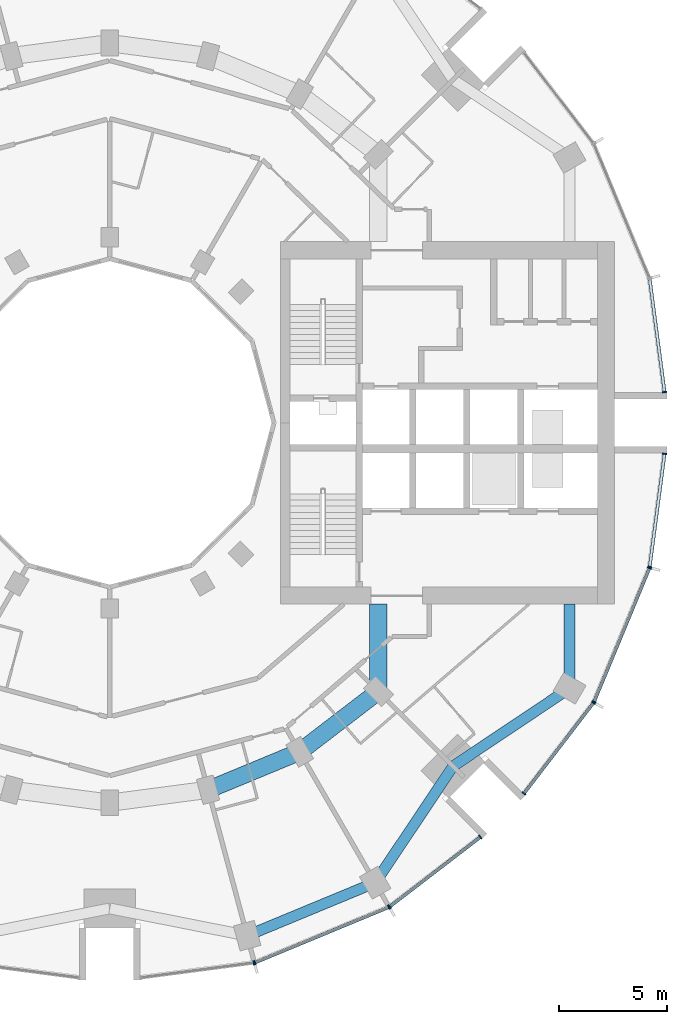
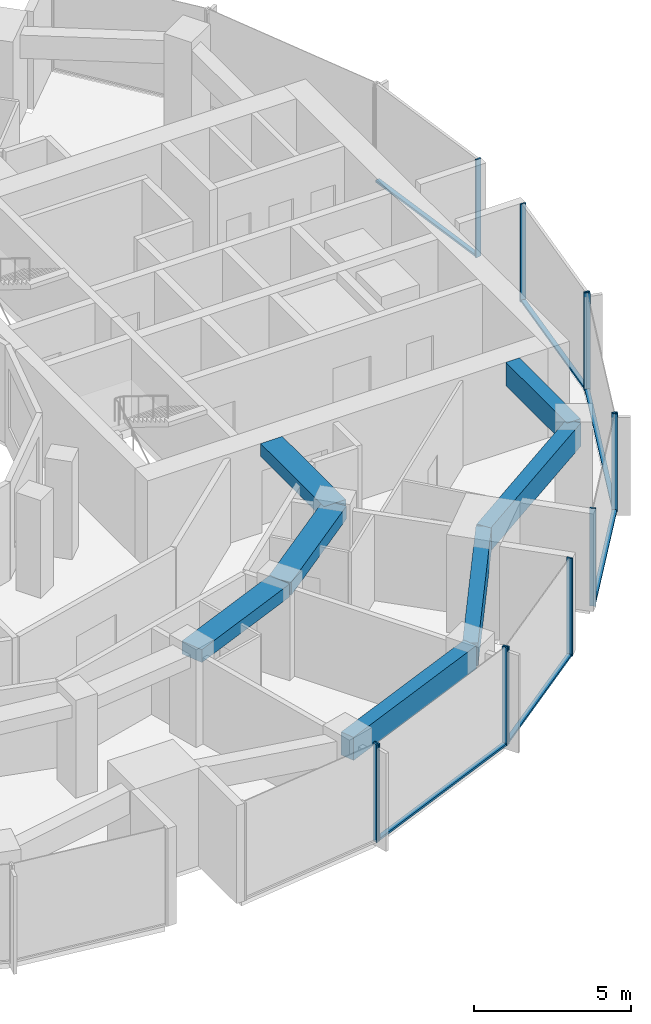
# One storey, part 4 of 15: 18 members, 7 beams, 7 elements without a shape of their own.
"""IFC4 building model written with IfcOpenShell, lengths in metres."""

from ifc_helpers import new_model, si_unit, direction, frame, origin, origin_2d, place, context, subcontext, project, spatial, rectangle, extrude, material, layer, layer_set, material_profile, profile_set, type_object, element, aggregate, save


model = new_model("IFC4")

# Units and contexts
model_context = context("Model", 3, precision=1e-05, world=origin(), true_north=direction((0.0, 1.0)))
body_context = subcontext(model_context, "Body", "Model", "MODEL_VIEW")
ifc_project = project(units=[si_unit("LENGTHUNIT", "METRE"), si_unit("AREAUNIT", "SQUARE_METRE"), si_unit("VOLUMEUNIT", "CUBIC_METRE"), si_unit("PLANEANGLEUNIT", "RADIAN"), si_unit("MASSUNIT", "GRAM", prefix="KILO")], contexts=[model_context])

# Site, building, storey
site_placement = place(None, origin())
site = spatial("IfcSite", under=ifc_project, at=site_placement, CompositionType="ELEMENT")
building_placement = place(site_placement, origin())
building = spatial("IfcBuilding", under=site, at=building_placement, Name="Torre Brocal", CompositionType="ELEMENT")
storey_placement = place(building_placement, frame((0.0, 0.0, 97.60009765625)))
storey = spatial("IfcBuildingStorey", under=building, at=storey_placement, Name="L22", CompositionType="ELEMENT", Elevation=97.60009765625)

# Curtain wall, member
ifc_material_1 = material(Name="Aluminium and glass", Category="aluminium")
ifc_layer_1 = layer(ifc_material_1, 0.199951171875)
ifc_layer_set_1 = layer_set([ifc_layer_1], Name="Aluminium and glass")
curtain_wall_type_1 = type_object("IfcCurtainWallType", Name="CW-1 CURTAIN WALL 3800 HIGH", PredefinedType="NOTDEFINED", material=ifc_layer_set_1)
curtain_wall_1_placement = place(storey_placement, origin())
curtain_wall_1 = element("IfcCurtainWall", 1, at=curtain_wall_1_placement, inside=storey, type_object=curtain_wall_type_1, Name="CW-1 RUN 19", PredefinedType="NOTDEFINED")
ifc_material_2 = material(Name="Aluminium, dark anodised", Category="aluminium")
ifc_material_profile_1 = material_profile(ifc_material_2, rectangle(XDim=0.199951171875, YDim=0.06005859375, at=origin_2d()), Name="CW-1 MULLION 60X200")
ifc_profile_set_1 = profile_set([ifc_material_profile_1], Name="Aluminium, dark anodised")
member_type_1 = type_object("IfcMemberType", Name="CW-1 MULLION 60X200", PredefinedType="MULLION", material=ifc_profile_set_1)
member_1_placement = place(storey_placement, frame((86.67333984375, 49.9794921875, 0.0), z_axis=(0.0, 0.0, 1.0), x_axis=(-0.13052619222, 0.991444861374, 0.0)))
member_1 = element("IfcMember", 2, at=member_1_placement, type_object=member_type_1, Name="CW1-1 mullion 2", PredefinedType="MULLION", context=body_context, shape_type="SweptSolid", body=[
    extrude(rectangle(XDim=0.199951171875, YDim=0.06005859375, at=origin_2d()), origin(), (0.0, 0.0, 1.0), 3.7998046875),
])
aggregate(curtain_wall_1, [member_1])

# Curtain wall, members
curtain_wall_2_placement = place(storey_placement, origin())
curtain_wall_2 = element("IfcCurtainWall", 3, at=curtain_wall_2_placement, inside=storey, type_object=curtain_wall_type_1, Name="CW-1 RUN 20", PredefinedType="NOTDEFINED")
member_2_placement = place(storey_placement, frame((86.73095703125, 49.994873046875, 0.0), z_axis=(0.0, 0.0, 1.0), x_axis=(-0.382683432333, 0.923879532525, 0.0)))
member_2 = element("IfcMember", 4, at=member_2_placement, type_object=member_type_1, Name="CW1-1 mullion 1", PredefinedType="MULLION", context=body_context, shape_type="SweptSolid", body=[
    extrude(rectangle(XDim=0.199951171875, YDim=0.06005859375, at=origin_2d()), origin(), (0.0, 0.0, 1.0), 3.7998046875),
])
member_3_placement = place(storey_placement, frame((92.921875, 52.559326171875, 0.0), z_axis=(0.0, 0.0, 1.0), x_axis=(-0.382683432333, 0.923879532525, 0.0)))
member_3 = element("IfcMember", 5, at=member_3_placement, type_object=member_type_1, Name="CW1-1 mullion 2", PredefinedType="MULLION", context=body_context, shape_type="SweptSolid", body=[
    extrude(rectangle(XDim=0.199951171875, YDim=0.06005859375, at=origin_2d()), origin(), (0.0, 0.0, 1.0), 3.7998046875),
])

curtain_wall_3_placement = place(storey_placement, origin())
curtain_wall_3 = element("IfcCurtainWall", 6, at=curtain_wall_3_placement, inside=storey, type_object=curtain_wall_type_1, Name="CW-1 RUN 21", PredefinedType="NOTDEFINED")
member_4_placement = place(storey_placement, frame((92.973388671875, 52.5888671875, 0.0), z_axis=(0.0, 0.0, 1.0), x_axis=(-0.60876142905, 0.793353340259, 0.0)))
member_4 = element("IfcMember", 7, at=member_4_placement, type_object=member_type_1, Name="CW1-1 mullion 1", PredefinedType="MULLION", context=body_context, shape_type="SweptSolid", body=[
    extrude(rectangle(XDim=0.199951171875, YDim=0.06005859375, at=origin_2d()), origin(), (0.0, 0.0, 1.0), 3.7998046875),
])
member_5_placement = place(storey_placement, frame((97.16943359375, 55.80859375, 0.0), z_axis=(0.0, 0.0, 1.0), x_axis=(-0.60876142905, 0.793353340259, 0.0)))
member_5 = element("IfcMember", 8, at=member_5_placement, type_object=member_type_1, Name="CW1-1 mullion 2", PredefinedType="MULLION", context=body_context, shape_type="SweptSolid", body=[
    extrude(rectangle(XDim=0.199951171875, YDim=0.06005859375, at=origin_2d()), origin(), (0.0, 0.0, 1.0), 3.7998046875),
])

curtain_wall_4_placement = place(storey_placement, origin())
curtain_wall_4 = element("IfcCurtainWall", 9, at=curtain_wall_4_placement, inside=storey, type_object=curtain_wall_type_1, Name="CW-1 RUN 22", PredefinedType="NOTDEFINED")
member_6_placement = place(storey_placement, frame((99.19140625, 57.83056640625, 0.0), z_axis=(0.0, 0.0, 1.0), x_axis=(-0.793353340259, 0.60876142905, 0.0)))
member_6 = element("IfcMember", 10, at=member_6_placement, type_object=member_type_1, Name="CW1-1 mullion 1", PredefinedType="MULLION", context=body_context, shape_type="SweptSolid", body=[
    extrude(rectangle(XDim=0.199951171875, YDim=0.06005859375, at=origin_2d()), origin(), (0.0, 0.0, 1.0), 3.7998046875),
])
member_7_placement = place(storey_placement, frame((102.4111328125, 62.026611328125, 0.0), z_axis=(0.0, 0.0, 1.0), x_axis=(-0.793353340259, 0.60876142905, 0.0)))
member_7 = element("IfcMember", 11, at=member_7_placement, type_object=member_type_1, Name="CW1-1 mullion 2", PredefinedType="MULLION", context=body_context, shape_type="SweptSolid", body=[
    extrude(rectangle(XDim=0.199951171875, YDim=0.06005859375, at=origin_2d()), origin(), (0.0, 0.0, 1.0), 3.7998046875),
])

curtain_wall_5_placement = place(storey_placement, origin())
curtain_wall_5 = element("IfcCurtainWall", 12, at=curtain_wall_5_placement, inside=storey, type_object=curtain_wall_type_1, Name="CW-1 RUN 23", PredefinedType="NOTDEFINED")
member_8_placement = place(storey_placement, frame((102.440673828125, 62.078125, 0.0), z_axis=(0.0, 0.0, 1.0), x_axis=(-0.923879532525, 0.382683432333, 0.0)))
member_8 = element("IfcMember", 13, at=member_8_placement, type_object=member_type_1, Name="CW1-1 mullion 1", PredefinedType="MULLION", context=body_context, shape_type="SweptSolid", body=[
    extrude(rectangle(XDim=0.199951171875, YDim=0.06005859375, at=origin_2d()), origin(), (0.0, 0.0, 1.0), 3.7998046875),
])
member_9_placement = place(storey_placement, frame((105.005126953125, 68.26904296875, 0.0), z_axis=(0.0, 0.0, 1.0), x_axis=(-0.923879532525, 0.382683432333, 0.0)))
member_9 = element("IfcMember", 14, at=member_9_placement, type_object=member_type_1, Name="CW1-1 mullion 2", PredefinedType="MULLION", context=body_context, shape_type="SweptSolid", body=[
    extrude(rectangle(XDim=0.199951171875, YDim=0.06005859375, at=origin_2d()), origin(), (0.0, 0.0, 1.0), 3.7998046875),
])

# Member
ifc_material_3 = material(Name="Aluminium, dark anodised", Category="aluminium")
ifc_material_profile_2 = material_profile(ifc_material_3, rectangle(XDim=0.159912109375, YDim=0.080078125, at=origin_2d()), Name="CW-1 TRANSOM 160X80")
ifc_profile_set_2 = profile_set([ifc_material_profile_2], Name="Aluminium, dark anodised")
member_type_2 = type_object("IfcMemberType", Name="CW-1 TRANSOM 160X80", PredefinedType="USERDEFINED", material=ifc_profile_set_2)
member_10_placement = place(storey_placement, frame((86.758544921875, 50.00634765625, 0.039794921875), z_axis=(0.923887344364, 0.38266457234, 0.0), x_axis=(-0.38266457234, 0.923887344364, 0.0)))
member_10 = element("IfcMember", 15, at=member_10_placement, type_object=member_type_2, Name="CW1-1 transom 1.1", ObjectType="TRANSOM", PredefinedType="USERDEFINED", context=body_context, shape_type="SweptSolid", body=[
    extrude(rectangle(XDim=0.159912109375, YDim=0.080078125, at=origin_2d()), origin(), (0.0, 0.0, 1.0), 6.640869140625),
])

aggregate(curtain_wall_2, [member_2, member_3, member_10])

member_11_placement = place(storey_placement, frame((92.9970703125, 52.607177734375, 0.039794921875), z_axis=(0.79336281513, 0.60874908096, 0.0), x_axis=(-0.60874908096, 0.79336281513, 0.0)))
member_11 = element("IfcMember", 16, at=member_11_placement, type_object=member_type_2, Name="CW1-1 transom 1.1", ObjectType="TRANSOM", PredefinedType="USERDEFINED", context=body_context, shape_type="SweptSolid", body=[
    extrude(rectangle(XDim=0.159912109375, YDim=0.080078125, at=origin_2d()), origin(), (0.0, 0.0, 1.0), 5.22900390625),
])

aggregate(curtain_wall_3, [member_4, member_5, member_11])

member_12_placement = place(storey_placement, frame((99.209716796875, 57.8544921875, 0.039794921875), z_axis=(0.60874908096, 0.79336281513, 0.0), x_axis=(-0.79336281513, 0.60874908096, 0.0)))
member_12 = element("IfcMember", 17, at=member_12_placement, type_object=member_type_2, Name="CW1-1 transom 1.1", ObjectType="TRANSOM", PredefinedType="USERDEFINED", context=body_context, shape_type="SweptSolid", body=[
    extrude(rectangle(XDim=0.159912109375, YDim=0.080078125, at=origin_2d()), origin(), (0.0, 0.0, 1.0), 5.22900390625),
])

aggregate(curtain_wall_4, [member_6, member_7, member_12])

member_13_placement = place(storey_placement, frame((102.452392578125, 62.10595703125, 0.039794921875), z_axis=(0.38266457234, 0.923887344364, 0.0), x_axis=(-0.923887344364, 0.38266457234, 0.0)))
member_13 = element("IfcMember", 18, at=member_13_placement, type_object=member_type_2, Name="CW1-1 transom 1.1", ObjectType="TRANSOM", PredefinedType="USERDEFINED", context=body_context, shape_type="SweptSolid", body=[
    extrude(rectangle(XDim=0.159912109375, YDim=0.080078125, at=origin_2d()), origin(), (0.0, 0.0, 1.0), 6.640869140625),
])

aggregate(curtain_wall_5, [member_8, member_9, member_13])

# Curtain wall, member
ifc_material_4 = material(Name="Aluminium and glass", Category="aluminium")
ifc_layer_2 = layer(ifc_material_4, 0.199951171875)
ifc_layer_set_2 = layer_set([ifc_layer_2], Name="Aluminium and glass")
curtain_wall_type_2 = type_object("IfcCurtainWallType", Name="CW-1B CURTAIN WALL 3800 HIGH", PredefinedType="NOTDEFINED", material=ifc_layer_set_2)
curtain_wall_6_placement = place(storey_placement, origin())
curtain_wall_6 = element("IfcCurtainWall", 19, at=curtain_wall_6_placement, inside=storey, type_object=curtain_wall_type_2, Name="CW-1B RUN 1", PredefinedType="NOTDEFINED")
ifc_material_5 = material(Name="Aluminium, dark anodised", Category="aluminium")
ifc_material_profile_3 = material_profile(ifc_material_5, rectangle(XDim=0.199951171875, YDim=0.06005859375, at=origin_2d()), Name="CW-1B MULLION 60X200")
ifc_profile_set_3 = profile_set([ifc_material_profile_3], Name="Aluminium, dark anodised")
member_type_3 = type_object("IfcMemberType", Name="CW-1B MULLION 60X200", PredefinedType="MULLION", material=ifc_profile_set_3)
member_14_placement = place(storey_placement, frame((105.7109375, 76.4296875, 0.0), z_axis=(0.0, 0.0, 1.0), x_axis=(-0.991444861374, -0.13052619222, 0.0)))
member_14 = element("IfcMember", 20, at=member_14_placement, type_object=member_type_3, Name="CW1B-1 mullion 1", PredefinedType="MULLION", context=body_context, shape_type="SweptSolid", body=[
    extrude(rectangle(XDim=0.199951171875, YDim=0.06005859375, at=origin_2d()), origin(), (0.0, 0.0, 1.0), 3.7998046875),
])

# Curtain wall, members
curtain_wall_7_placement = place(storey_placement, origin())
curtain_wall_7 = element("IfcCurtainWall", 21, at=curtain_wall_7_placement, inside=storey, type_object=curtain_wall_type_2, Name="CW-1B RUN 24", PredefinedType="NOTDEFINED")
member_15_placement = place(storey_placement, frame((105.0205078125, 68.32666015625, 0.0), z_axis=(0.0, 0.0, 1.0), x_axis=(-0.991444861374, 0.13052619222, 0.0)))
member_15 = element("IfcMember", 22, at=member_15_placement, type_object=member_type_3, Name="CW1B-1 mullion 1", PredefinedType="MULLION", context=body_context, shape_type="SweptSolid", body=[
    extrude(rectangle(XDim=0.199951171875, YDim=0.06005859375, at=origin_2d()), origin(), (0.0, 0.0, 1.0), 3.7998046875),
])
member_16_placement = place(storey_placement, frame((105.7109375, 73.5703125, 0.0), z_axis=(0.0, 0.0, 1.0), x_axis=(-0.991444861374, 0.13052619222, 0.0)))
member_16 = element("IfcMember", 23, at=member_16_placement, type_object=member_type_3, Name="CW1B-1 mullion 2", PredefinedType="MULLION", context=body_context, shape_type="SweptSolid", body=[
    extrude(rectangle(XDim=0.199951171875, YDim=0.06005859375, at=origin_2d()), origin(), (0.0, 0.0, 1.0), 3.7998046875),
])

# Member
ifc_material_6 = material(Name="Aluminium, dark anodised", Category="aluminium")
ifc_material_profile_4 = material_profile(ifc_material_6, rectangle(XDim=0.159912109375, YDim=0.080078125, at=origin_2d()), Name="CW-1B TRANSOM 160X80")
ifc_profile_set_4 = profile_set([ifc_material_profile_4], Name="Aluminium, dark anodised")
member_type_4 = type_object("IfcMemberType", Name="CW-1B TRANSOM 160X80", PredefinedType="USERDEFINED", material=ifc_profile_set_4)
member_17_placement = place(storey_placement, frame((105.70703125, 76.45947265625, 0.039794921875), z_axis=(-0.130542677827, 0.991442690863, 0.0), x_axis=(-0.991442690863, -0.130542677827, 0.0)))
member_17 = element("IfcMember", 24, at=member_17_placement, type_object=member_type_4, Name="CW1B-1 transom 1.1", ObjectType="TRANSOM", PredefinedType="USERDEFINED", context=body_context, shape_type="SweptSolid", body=[
    extrude(rectangle(XDim=0.159912109375, YDim=0.080078125, at=origin_2d()), origin(), (0.0, 0.0, 1.0), 5.22900390625),
])

aggregate(curtain_wall_6, [member_14, member_17])

member_18_placement = place(storey_placement, frame((105.0244140625, 68.356201171875, 0.039794921875), z_axis=(0.130542677827, 0.991442690863, 0.0), x_axis=(-0.991442690863, 0.130542677827, 0.0)))
member_18 = element("IfcMember", 25, at=member_18_placement, type_object=member_type_4, Name="CW1B-1 transom 1.1", ObjectType="TRANSOM", PredefinedType="USERDEFINED", context=body_context, shape_type="SweptSolid", body=[
    extrude(rectangle(XDim=0.159912109375, YDim=0.080078125, at=origin_2d()), origin(), (0.0, 0.0, 1.0), 5.22900390625),
])

aggregate(curtain_wall_7, [member_15, member_16, member_18])

# Beams
ifc_material_7 = material(Name="Concrete C50", Category="concrete")
ifc_material_profile_5 = material_profile(ifc_material_7, rectangle(XDim=0.800048828125, YDim=0.5, at=origin_2d()), Name="RC 800X500")
ifc_profile_set_5 = profile_set([ifc_material_profile_5], Name="Concrete C50")
beam_type_1 = type_object("IfcBeamType", Name="RC BEAM 800X500 C50 TOP 3480", PredefinedType="BEAM", material=ifc_profile_set_5)
beam_1_placement = place(storey_placement, frame((84.55517578125, 57.999755859375, 3.22998046875), z_axis=(0.923878240166, 0.382686552348, 0.0), x_axis=(-0.382686552348, 0.923878240166, 0.0)))
element("IfcBeam", 26, at=beam_1_placement, inside=storey, type_object=beam_type_1, Name="Beam BT-19", PredefinedType="BEAM", context=body_context, shape_type="SweptSolid", body=[
    extrude(rectangle(XDim=0.800048828125, YDim=0.5, at=origin_2d()), origin(), (0.0, 0.0, 1.0), 4.5947265625),
])
beam_2_placement = place(storey_placement, frame((88.800048828125, 59.758056640625, 3.22998046875), z_axis=(0.793358265959, 0.6087550097, 0.0), x_axis=(-0.6087550097, 0.793358265959, 0.0)))
element("IfcBeam", 27, at=beam_2_placement, inside=storey, type_object=beam_type_1, Name="Beam BT-19", PredefinedType="BEAM", context=body_context, shape_type="SweptSolid", body=[
    extrude(rectangle(XDim=0.800048828125, YDim=0.5, at=origin_2d()), origin(), (0.0, 0.0, 1.0), 4.594482421875),
])
beam_3_placement = place(storey_placement, frame((92.445068359375, 62.554931640625, 3.22998046875), z_axis=(0.0, 1.0, 0.0), x_axis=(-1.0, 0.0, 0.0)))
element("IfcBeam", 28, at=beam_3_placement, inside=storey, type_object=beam_type_1, Name="Beam BT-19", PredefinedType="BEAM", context=body_context, shape_type="SweptSolid", body=[
    extrude(rectangle(XDim=0.800048828125, YDim=0.5, at=origin_2d()), origin(), (0.0, 0.0, 1.0), 4.045166015625),
])
ifc_material_8 = material(Name="Concrete C50", Category="concrete")
ifc_material_profile_6 = material_profile(ifc_material_8, rectangle(XDim=0.5, YDim=0.89990234375, at=origin_2d()), Name="RC 500X900")
ifc_profile_set_6 = profile_set([ifc_material_profile_6], Name="Concrete C50")
beam_type_2 = type_object("IfcBeamType", Name="RC SPANDREL BEAM 500X900 C50 TOP 3480", PredefinedType="SPANDREL", material=ifc_profile_set_6)
beam_4_placement = place(storey_placement, frame((86.366943359375, 51.23828125, 3.02978515625), z_axis=(0.923882462513, 0.382676358639, 0.0), x_axis=(-0.382676358639, 0.923882462513, 0.0)))
element("IfcBeam", 29, at=beam_4_placement, inside=storey, type_object=beam_type_2, Name="Beam BT-20", PredefinedType="SPANDREL", context=body_context, shape_type="SweptSolid", body=[
    extrude(rectangle(XDim=0.5, YDim=0.89990234375, at=origin_2d()), origin(), (0.0, 0.0, 1.0), 6.421875),
])
for number, where, z_axis, x_axis, name in (
    (30, (92.300048828125, 53.69580078125, 3.02978515625), (0.556157602282, 0.831076844476, 0.0), (-0.831076844476, 0.556157602282, 0.0), "Beam BT-20"),
    (31, (95.909912109375, 59.090087890625, 3.02978515625), (0.831076844476, 0.556157602282, 0.0), (-0.556157602282, 0.831076844476, 0.0), "Beam BT-20"),
):
    element("IfcBeam", number, at=place(storey_placement, frame(where, z_axis=z_axis, x_axis=x_axis)), inside=storey, type_object=beam_type_2, Name=name, PredefinedType="SPANDREL", context=body_context, shape_type="SweptSolid", body=[
        extrude(rectangle(XDim=0.5, YDim=0.89990234375, at=origin_2d()), origin(), (0.0, 0.0, 1.0), 6.49072265625),
    ])
beam_5_placement = place(storey_placement, frame((101.30419921875, 62.699951171875, 3.02978515625), z_axis=(0.0, 1.0, 0.0), x_axis=(-1.0, 0.0, 0.0)))
element("IfcBeam", 32, at=beam_5_placement, inside=storey, type_object=beam_type_2, Name="Beam BT-20", PredefinedType="SPANDREL", context=body_context, shape_type="SweptSolid", body=[
    extrude(rectangle(XDim=0.5, YDim=0.89990234375, at=origin_2d()), origin(), (0.0, 0.0, 1.0), 3.900146484375),
])

save(model, "model.ifc")
